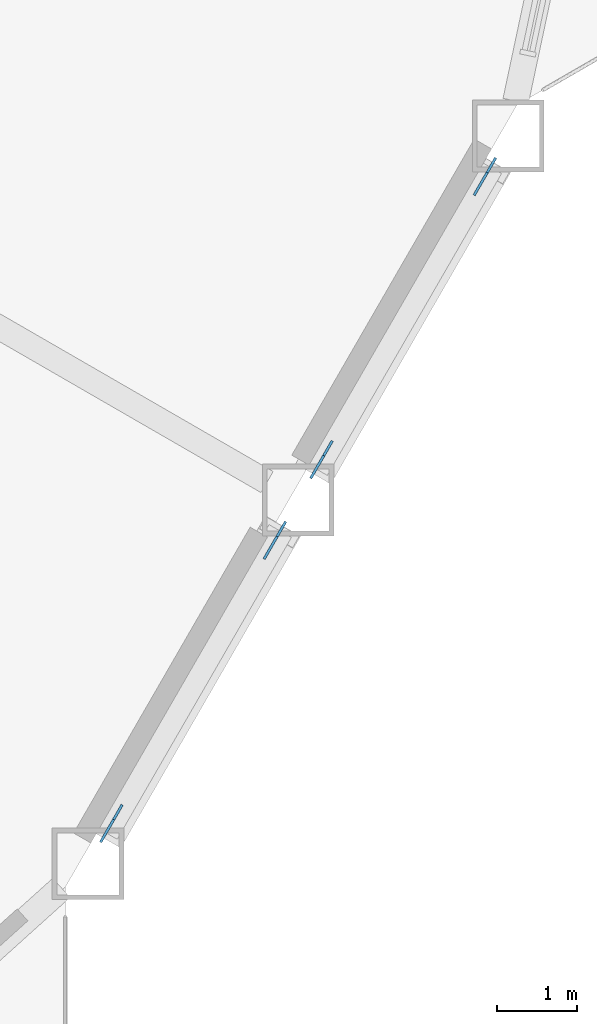
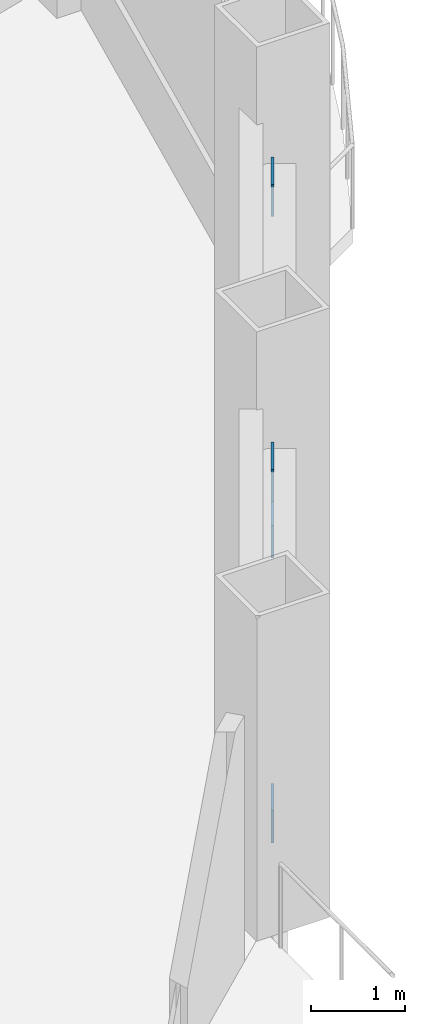
# One storey, part 15 of 21: 4 discrete accessories.
"""IFC4 building model written with IfcOpenShell, lengths in metres."""

from ifc_helpers import new_model, si_unit, direction, frame, origin, origin_2d, place, context, subcontext, project, spatial, rectangle, extrude, material, material_profile, profile_set, type_object, element, save


model = new_model("IFC4")

# Units and contexts
model_context = context("Model", 3, precision=1e-05, world=origin(), true_north=direction((0.0, 1.0)))
body_context = subcontext(model_context, "Body", "Model", "MODEL_VIEW")
ifc_project = project(units=[si_unit("LENGTHUNIT", "METRE"), si_unit("AREAUNIT", "SQUARE_METRE"), si_unit("VOLUMEUNIT", "CUBIC_METRE"), si_unit("PLANEANGLEUNIT", "RADIAN"), si_unit("MASSUNIT", "GRAM", prefix="KILO")], contexts=[model_context])

# Site, building, storey
site_placement = place(None, origin())
site = spatial("IfcSite", under=ifc_project, at=site_placement, CompositionType="ELEMENT")
building_placement = place(site_placement, origin())
building = spatial("IfcBuilding", under=site, at=building_placement, Name="Cormorant Prow Tower", CompositionType="ELEMENT")
storey_placement = place(building_placement, frame((0.0, 0.0, 129.0)))
storey = spatial("IfcBuildingStorey", under=building, at=storey_placement, Name="L27", CompositionType="ELEMENT", Elevation=129.0)

# Discrete accessories
ifc_material = material(Name="Structural steel ASTM A500 Gr C", Category="steel")
ifc_material_profile = material_profile(ifc_material, rectangle(XDim=0.031982421875, YDim=0.60791015625, at=origin_2d()), Name="Gusset plate 32x608")
ifc_profile_set = profile_set([ifc_material_profile], Name="Structural steel ASTM A500 Gr C")
discrete_accessory_type = type_object("IfcDiscreteAccessoryType", Name="Gusset plate 32x608", PredefinedType="BRACKET", material=ifc_profile_set)
discrete_accessory_1_placement = place(storey_placement, frame((25.8740234375, -20.158935546875, 0.882568359375), z_axis=(-0.467787927946, -0.810088781331, -0.353455260013), x_axis=(0.865987003449, -0.500066505434, 0.0)))
element("IfcDiscreteAccessory", 1, at=discrete_accessory_1_placement, inside=storey, type_object=discrete_accessory_type, Name="Gusset plate GP1 L27.ESE00.g0", PredefinedType="BRACKET", context=body_context, shape_type="SweptSolid", body=[
    extrude(rectangle(XDim=0.031982421875, YDim=0.60791015625, at=origin_2d()), origin(), (0.0, 0.0, 1.0), 0.35009765625),
])
discrete_accessory_2_placement = place(storey_placement, frame((27.76025390625, -16.8916015625, 2.306396484375), z_axis=(0.468167615655, 0.810048586848, 0.353044431477), x_axis=(-0.865800459427, 0.500389412813, 0.0)))
element("IfcDiscreteAccessory", 2, at=discrete_accessory_2_placement, inside=storey, type_object=discrete_accessory_type, Name="Gusset plate GP1 L27.ESE00.g1", PredefinedType="BRACKET", context=body_context, shape_type="SweptSolid", body=[
    extrude(rectangle(XDim=0.031982421875, YDim=0.60791015625, at=origin_2d()), origin(), (0.0, 0.0, 1.0), 0.349853515625),
])
for number, where, z_axis, x_axis, name in (
    (3, (28.5087890625, -15.59521484375, 0.882568359375), (-0.467787927946, -0.810088781331, -0.353455260013), (0.865987003449, -0.500066505434, 0.0), "Gusset plate GP1 L27.ESE01.g0"),
    (4, (30.39501953125, -12.328125, 2.306396484375), (0.467903125124, 0.810288273314, 0.352844979601), (-0.865987003449, 0.500066505434, 0.0), "Gusset plate GP1 L27.ESE01.g1"),
):
    element("IfcDiscreteAccessory", number, at=place(storey_placement, frame(where, z_axis=z_axis, x_axis=x_axis)), inside=storey, type_object=discrete_accessory_type, Name=name, PredefinedType="BRACKET", context=body_context, shape_type="SweptSolid", body=[
        extrude(rectangle(XDim=0.031982421875, YDim=0.60791015625, at=origin_2d()), origin(), (0.0, 0.0, 1.0), 0.35009765625),
    ])

save(model, "model.ifc")
